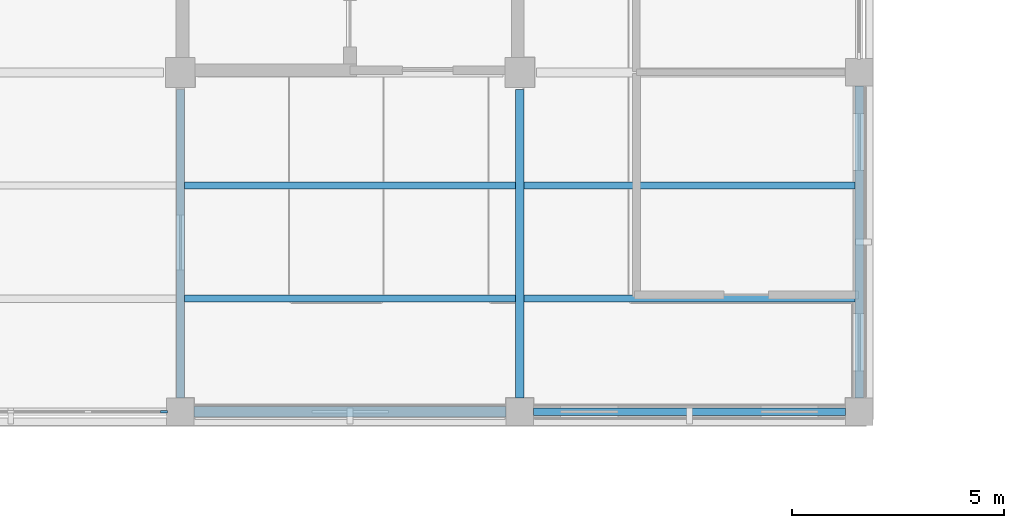
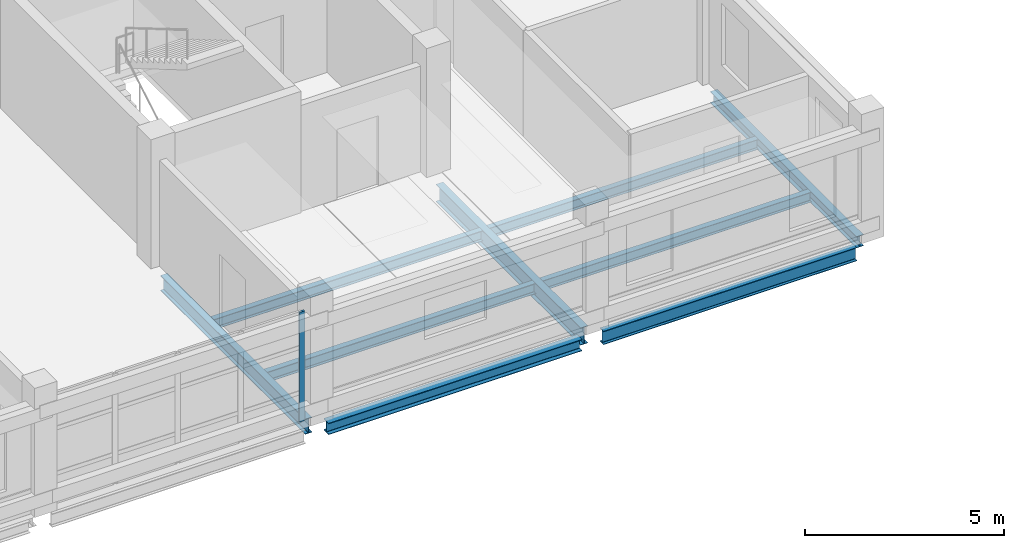
# One storey, part 30 of 107: 9 beams, 1 member, 1 element without a shape of its own.
"""IFC4 building model written with IfcOpenShell, lengths in metres."""

from ifc_helpers import new_model, si_unit, derived_unit, direction, frame, origin, origin_2d, place, context, subcontext, project, spatial, rectangle, i_section, extrude, material, layer, layer_set, material_profile, profile_set, type_object, element, aggregate, save


model = new_model("IFC4")

# Units and contexts
model_context = context("Model", 3, precision=1e-05, world=origin(), true_north=direction((0.0, 1.0)))
body_context = subcontext(model_context, "Body", "Model", "MODEL_VIEW")
ifc_project = project(units=[si_unit("LENGTHUNIT", "METRE"), si_unit("AREAUNIT", "SQUARE_METRE"), si_unit("VOLUMEUNIT", "CUBIC_METRE"), si_unit("PLANEANGLEUNIT", "RADIAN"), si_unit("MASSUNIT", "GRAM", prefix="KILO"), derived_unit("THERMALTRANSMITTANCEUNIT", [(si_unit("MASSUNIT", "GRAM", prefix="KILO"), 1), (si_unit("TIMEUNIT", "SECOND"), -3), (si_unit("THERMODYNAMICTEMPERATUREUNIT", "KELVIN"), -1)])], contexts=[model_context])

# Site, building, storey
site_placement = place(None, origin())
site = spatial("IfcSite", under=ifc_project, at=site_placement, CompositionType="ELEMENT")
building_placement = place(site_placement, origin())
building = spatial("IfcBuilding", under=site, at=building_placement, Name="Veyamyaing Civic Hall", CompositionType="ELEMENT")
storey_placement = place(building_placement, frame((0.0, 0.0, 13.860107421875)))
storey = spatial("IfcBuildingStorey", under=building, at=storey_placement, Name="L03", CompositionType="ELEMENT", Elevation=13.860107421875)

# Beams
ifc_material_1 = material(Name="Steel ASTM A992", Category="steel")
ifc_material_profile_1 = material_profile(ifc_material_1, i_section(OverallWidth=0.208984375, OverallDepth=0.532958984375, WebThickness=0.01025390625, FlangeThickness=0.015625, FilletRadius=0.011962890625, at=origin_2d()), Name="W530X92")
ifc_profile_set_1 = profile_set([ifc_material_profile_1], Name="Steel ASTM A992")
beam_type_1 = type_object("IfcBeamType", Name="B-07", PredefinedType="BEAM", material=ifc_profile_set_1)
beam_1_placement = place(storey_placement, frame((40.0, 88.324951171875, -0.521728515625), z_axis=(0.0, 1.0, 0.0), x_axis=(-1.0, 0.0, 0.0)))
element("IfcBeam", 1, at=beam_1_placement, inside=storey, type_object=beam_type_1, Name="Girder B-07 L03 Grid 6 M-N", PredefinedType="BEAM", context=body_context, shape_type="SweptSolid", body=[
    extrude(i_section(OverallWidth=0.208984375, OverallDepth=0.532958984375, WebThickness=0.01025390625, FlangeThickness=0.015625, FilletRadius=0.011962890625, at=origin_2d()), origin(), (0.0, 0.0, 1.0), 7.275146484375),
])
ifc_material_profile_2 = material_profile(ifc_material_1, i_section(OverallWidth=0.179931640625, OverallDepth=0.4130859375, WebThickness=0.009765625, FlangeThickness=0.01611328125, FilletRadius=0.010009765625, at=origin_2d()), Name="W410X74")
ifc_profile_set_2 = profile_set([ifc_material_profile_2], Name="Steel ASTM A992")
beam_type_2 = type_object("IfcBeamType", Name="B-10", PredefinedType="SPANDREL", material=ifc_profile_set_2)
beam_2_placement = place(storey_placement, frame((40.324951171875, 88.0, -0.461669921875), z_axis=(1.0, 0.0, 0.0), x_axis=(0.0, 1.0, 0.0)))
element("IfcBeam", 2, at=beam_2_placement, inside=storey, type_object=beam_type_2, Name="Girder B-10 L03 Grid M 6-7", PredefinedType="SPANDREL", context=body_context, shape_type="SweptSolid", body=[
    extrude(i_section(OverallWidth=0.179931640625, OverallDepth=0.4130859375, WebThickness=0.009765625, FlangeThickness=0.01611328125, FilletRadius=0.010009765625, at=origin_2d()), origin(), (0.0, 0.0, 1.0), 7.35009765625),
])
ifc_material_profile_3 = material_profile(ifc_material_1, i_section(OverallWidth=0.2041015625, OverallDepth=0.35009765625, WebThickness=0.0078125, FlangeThickness=0.01513671875, FilletRadius=0.010009765625, at=origin_2d()), Name="W360X72")
ifc_profile_set_3 = profile_set([ifc_material_profile_3], Name="Steel ASTM A992")
beam_type_3 = type_object("IfcBeamType", Name="B-11", PredefinedType="SPANDREL", material=ifc_profile_set_3)
beam_3_placement = place(storey_placement, frame((48.0, 88.324951171875, -0.43017578125), z_axis=(0.0, 1.0, 0.0), x_axis=(-1.0, 0.0, 0.0)))
element("IfcBeam", 3, at=beam_3_placement, inside=storey, type_object=beam_type_3, Name="Girder B-11 L03 Grid 7 M-N", PredefinedType="SPANDREL", context=body_context, shape_type="SweptSolid", body=[
    extrude(i_section(OverallWidth=0.2041015625, OverallDepth=0.35009765625, WebThickness=0.0078125, FlangeThickness=0.01513671875, FilletRadius=0.010009765625, at=origin_2d()), origin(), (0.0, 0.0, 1.0), 7.35009765625),
])
ifc_material_profile_4 = material_profile(ifc_material_1, i_section(OverallWidth=0.194091796875, OverallDepth=0.468994140625, WebThickness=0.0126953125, FlangeThickness=0.0205078125, FilletRadius=0.010009765625, at=origin_2d()), Name="W460X106")
ifc_profile_set_4 = profile_set([ifc_material_profile_4], Name="Steel ASTM A992")
beam_type_4 = type_object("IfcBeamType", Name="B-18", PredefinedType="BEAM", material=ifc_profile_set_4)
beam_4_placement = place(storey_placement, frame((32.0, 88.324951171875, -0.489501953125), z_axis=(0.0, 1.0, 0.0), x_axis=(-1.0, 0.0, 0.0)))
element("IfcBeam", 4, at=beam_4_placement, inside=storey, type_object=beam_type_4, Name="Girder B-18 L03 Grid 5 M-N", PredefinedType="BEAM", context=body_context, shape_type="SweptSolid", body=[
    extrude(i_section(OverallWidth=0.194091796875, OverallDepth=0.468994140625, WebThickness=0.0126953125, FlangeThickness=0.0205078125, FilletRadius=0.010009765625, at=origin_2d()), origin(), (0.0, 0.0, 1.0), 7.275146484375),
])
ifc_material_profile_5 = material_profile(ifc_material_1, i_section(OverallWidth=0.25390625, OverallDepth=0.35302734375, WebThickness=0.009521484375, FlangeThickness=0.016357421875, FilletRadius=0.011962890625, at=origin_2d()), Name="W360X91")
ifc_profile_set_5 = profile_set([ifc_material_profile_5], Name="Steel ASTM A992")
beam_type_5 = type_object("IfcBeamType", Name="B-20", PredefinedType="SPANDREL", material=ifc_profile_set_5)
beam_5_placement = place(storey_placement, frame((32.324951171875, 88.0, -0.431640625), z_axis=(1.0, 0.0, 0.0), x_axis=(0.0, 1.0, 0.0)))
element("IfcBeam", 5, at=beam_5_placement, inside=storey, type_object=beam_type_5, Name="Girder B-20 L03 Grid M 5-6", PredefinedType="SPANDREL", context=body_context, shape_type="SweptSolid", body=[
    extrude(i_section(OverallWidth=0.25390625, OverallDepth=0.35302734375, WebThickness=0.009521484375, FlangeThickness=0.016357421875, FilletRadius=0.011962890625, at=origin_2d()), origin(), (0.0, 0.0, 1.0), 7.35009765625),
])

# Curtain wall, member
ifc_material_2 = material(Name="Anodised aluminium 6063-T6", Category="aluminium")
ifc_layer = layer(ifc_material_2, 0.159912109375, Name="Anodised aluminium 6063-T6")
ifc_layer_set = layer_set([ifc_layer], Name="Anodised aluminium 6063-T6")
curtain_wall_type = type_object("IfcCurtainWallType", Name="CW-07", PredefinedType="NOTDEFINED", material=ifc_layer_set)
curtain_wall_placement = place(storey_placement, origin())
curtain_wall = element("IfcCurtainWall", 6, at=curtain_wall_placement, inside=storey, type_object=curtain_wall_type, Name="Unitized curtain wall CW-07 L03 S 4.12", PredefinedType="NOTDEFINED")
ifc_material_profile_6 = material_profile(ifc_material_2, rectangle(XDim=0.06494140625, YDim=0.159912109375, at=origin_2d()), Name="ALU-MUL-65X160")
ifc_profile_set_6 = profile_set([ifc_material_profile_6], Name="Anodised aluminium 6063-T6")
member_type = type_object("IfcMemberType", Name="CWM-01", PredefinedType="MULLION", material=ifc_profile_set_6)
member_placement = place(storey_placement, frame((31.612548828125, 88.0, 0.0), z_axis=(0.0, 0.0, 1.0), x_axis=(0.0, 1.0, 0.0)))
member = element("IfcMember", 7, at=member_placement, type_object=member_type, Name="CW-07 mullion 5", PredefinedType="MULLION", context=body_context, shape_type="SweptSolid", body=[
    extrude(rectangle(XDim=0.06494140625, YDim=0.159912109375, at=origin_2d()), origin(), (0.0, 0.0, 1.0), 3.364013671875),
])
aggregate(curtain_wall, [member])

# Beams
ifc_material_profile_7 = material_profile(ifc_material_1, i_section(OverallWidth=0.1669921875, OverallDepth=0.318115234375, WebThickness=0.007568359375, FlangeThickness=0.01318359375, FilletRadius=0.010009765625, at=origin_2d()), Name="W310X52")
ifc_profile_set_7 = profile_set([ifc_material_profile_7], Name="Steel ASTM A992")
beam_type_6 = type_object("IfcBeamType", Name="J-04", PredefinedType="JOIST", material=ifc_profile_set_7)
for number, where, z_axis, x_axis, name in (
    (8, (32.094970703125, 90.666748046875, -0.4140625), (1.0, 0.0, 0.0), (0.0, 1.0, 0.0), "Composite floor joist J-04 L03 5.12.1"),
    (9, (32.094970703125, 93.333251953125, -0.4140625), (1.0, 0.0, 0.0), (0.0, 1.0, 0.0), "Composite floor joist J-04 L03 5.12.2"),
):
    element("IfcBeam", number, at=place(storey_placement, frame(where, z_axis=z_axis, x_axis=x_axis)), inside=storey, type_object=beam_type_6, Name=name, PredefinedType="JOIST", context=body_context, shape_type="SweptSolid", body=[
        extrude(i_section(OverallWidth=0.1669921875, OverallDepth=0.318115234375, WebThickness=0.007568359375, FlangeThickness=0.01318359375, FilletRadius=0.010009765625, at=origin_2d()), origin(), (0.0, 0.0, 1.0), 7.802490234375),
    ])
ifc_material_profile_8 = material_profile(ifc_material_1, i_section(OverallWidth=0.1650390625, OverallDepth=0.31005859375, WebThickness=0.005859375, FlangeThickness=0.009765625, FilletRadius=0.010009765625, at=origin_2d()), Name="W310X39")
ifc_profile_set_8 = profile_set([ifc_material_profile_8], Name="Steel ASTM A992")
beam_type_7 = type_object("IfcBeamType", Name="J-05", PredefinedType="JOIST", material=ifc_profile_set_8)
for number, where, z_axis, x_axis, name in (
    (10, (40.1025390625, 90.666748046875, -0.41015625), (1.0, 0.0, 0.0), (0.0, 1.0, 0.0), "Composite floor joist J-05 L03 6.12.1"),
    (11, (40.1025390625, 93.333251953125, -0.41015625), (1.0, 0.0, 0.0), (0.0, 1.0, 0.0), "Composite floor joist J-05 L03 6.12.2"),
):
    element("IfcBeam", number, at=place(storey_placement, frame(where, z_axis=z_axis, x_axis=x_axis)), inside=storey, type_object=beam_type_7, Name=name, PredefinedType="JOIST", context=body_context, shape_type="SweptSolid", body=[
        extrude(i_section(OverallWidth=0.1650390625, OverallDepth=0.31005859375, WebThickness=0.005859375, FlangeThickness=0.009765625, FilletRadius=0.010009765625, at=origin_2d()), origin(), (0.0, 0.0, 1.0), 7.79736328125),
    ])

save(model, "model.ifc")
